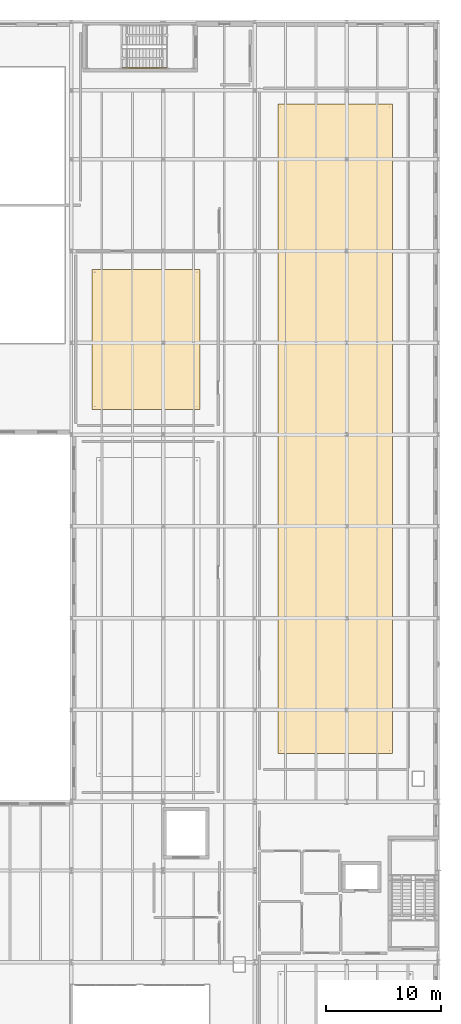
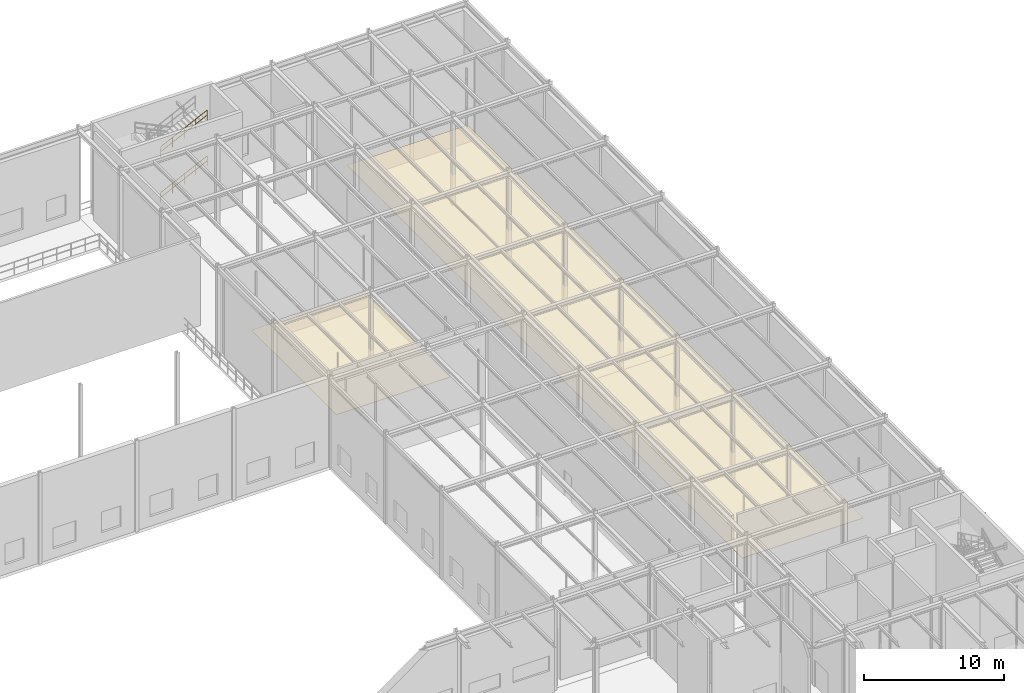
# One storey, part 137 of 138: 2 coverings, 2 railings.
"""IFC4 building model written with IfcOpenShell, lengths in metres."""

from ifc_helpers import new_model, si_unit, direction, frame, origin, origin_2d, place, context, subcontext, project, spatial, polyline, circle, outline, extrude, material, layer, layer_set, type_object, element, save


model = new_model("IFC4")

# Units and contexts
model_context = context("Model", 3, precision=1e-05, world=origin(), true_north=direction((0.0, 1.0)))
body_context = subcontext(model_context, "Body", "Model", "MODEL_VIEW")
ifc_project = project(units=[si_unit("LENGTHUNIT", "METRE"), si_unit("AREAUNIT", "SQUARE_METRE"), si_unit("VOLUMEUNIT", "CUBIC_METRE"), si_unit("PLANEANGLEUNIT", "RADIAN"), si_unit("MASSUNIT", "GRAM", prefix="KILO")], contexts=[model_context])

# Site, building, storey
site_placement = place(None, origin())
site = spatial("IfcSite", under=ifc_project, at=site_placement, CompositionType="ELEMENT")
building_placement = place(site_placement, origin())
building = spatial("IfcBuilding", under=site, at=building_placement, Name="Sundkrona Museum", CompositionType="ELEMENT")
storey_placement = place(building_placement, frame((0.0, 0.0, 9.60009765625)))
storey = spatial("IfcBuildingStorey", under=building, at=storey_placement, Name="L02", CompositionType="ELEMENT", Elevation=9.60009765625)

# Coverings
ifc_material_1 = material(Name="Perforated Acoustic Gypsum and Mineral Wool Ceiling", Category="other")
ifc_layer = layer(ifc_material_1, 0.0400390625)
ifc_layer_set = layer_set([ifc_layer], Name="Perforated Acoustic Gypsum and Mineral Wool Ceiling")
covering_type = type_object("IfcCoveringType", Name="COV-CEIL-AC", PredefinedType="CEILING", material=ifc_layer_set)
covering_1_placement = place(storey_placement, frame((0.0, 0.0, 2.5498046875)))
element("IfcCovering", 1, at=covering_1_placement, inside=storey, type_object=covering_type, Name="L02 Organic Conservation Laboratory Acoustic Ceiling", PredefinedType="CEILING", context=body_context, shape_type="SweptSolid", body=[
    extrude(outline(polyline([(137.800048828125, 80.199951171875), (147.199951171875, 80.199951171875), (147.199951171875, 92.39990234375), (137.800048828125, 92.39990234375), (137.800048828125, 80.199951171875)])), origin(), (0.0, 0.0, 1.0), 0.0400390625),
])
covering_2_placement = place(storey_placement, frame((0.0, 0.0, 2.5498046875)))
element("IfcCovering", 2, at=covering_2_placement, inside=storey, type_object=covering_type, Name="L02 Painting Restoration Studio Acoustic Ceiling", PredefinedType="CEILING", context=body_context, shape_type="SweptSolid", body=[
    extrude(outline(polyline([(154.0, 50.199951171875), (164.0, 50.199951171875), (164.0, 106.800048828125), (154.0, 106.800048828125), (154.0, 50.199951171875)])), origin(), (0.0, 0.0, 1.0), 0.0400390625),
])

# Railings
ifc_material_2 = material(Name="Brushed Bronze-Clad Steel Handrail", Category="steel")
railing_type = type_object("IfcRailingType", Name="RL-HAND-900", PredefinedType="HANDRAIL", material=ifc_material_2)
for number, where, name in (
    (3, (140.465087890625, 109.949951171875, 2.142822265625), "L02 ST-5 stair handrail 2"),
    (4, (140.465087890625, 109.949951171875, 6.142822265625), "L02 ST-5 stair handrail 4"),
):
    element("IfcRailing", number, at=place(storey_placement, frame(where)), inside=storey, type_object=railing_type, Name=name, PredefinedType="HANDRAIL", context=body_context, shape_type="SweptSolid", body=[
        extrude(circle(Radius=0.02392578125, at=origin_2d()), frame((0.0, 0.0, 0.8759765625), z_axis=(0.900016444443, 0.0, 0.435855939195), x_axis=(0.0, 1.0, 0.0)), (0.0, 0.0, 1.0), 4.260986328125),
        extrude(circle(Radius=0.02392578125, at=origin_2d()), frame((0.0, 0.0, 0.449951171875), z_axis=(0.900016444443, 0.0, 0.435855939195), x_axis=(0.0, 1.0, 0.0)), (0.0, 0.0, 1.0), 4.260986328125),
        extrude(circle(Radius=0.02099609375, at=origin_2d()), origin(), (0.0, 0.0, 1.0), 0.851806640625),
        extrude(circle(Radius=0.02099609375, at=origin_2d()), frame((0.958740234375, 0.0, 0.46435546875)), (0.0, 0.0, 1.0), 0.851806640625),
        extrude(circle(Radius=0.02099609375, at=origin_2d()), frame((1.91748046875, 0.0, 0.9287109375)), (0.0, 0.0, 1.0), 0.851806640625),
        extrude(circle(Radius=0.02099609375, at=origin_2d()), frame((2.876220703125, 0.0, 1.392822265625)), (0.0, 0.0, 1.0), 0.851806640625),
        extrude(circle(Radius=0.02099609375, at=origin_2d()), frame((3.8349609375, 0.0, 1.857177734375)), (0.0, 0.0, 1.0), 0.851806640625),
    ])

save(model, "model.ifc")
